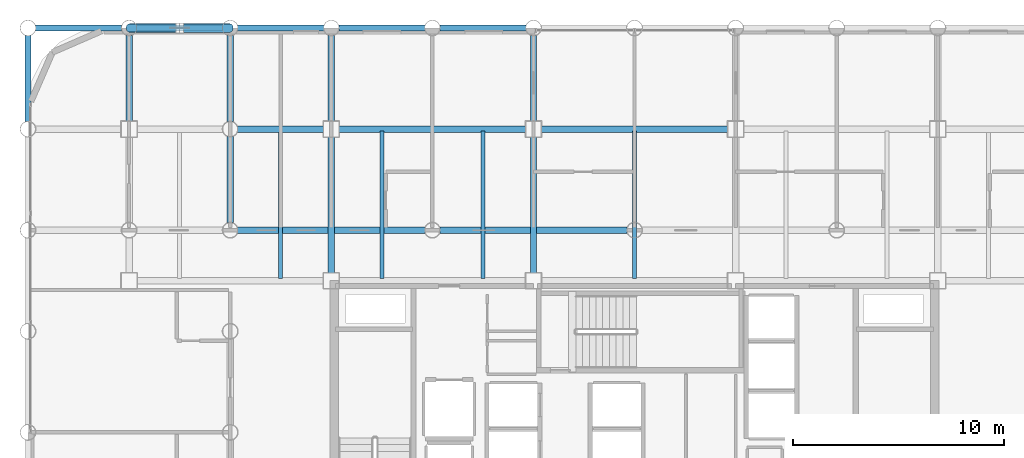
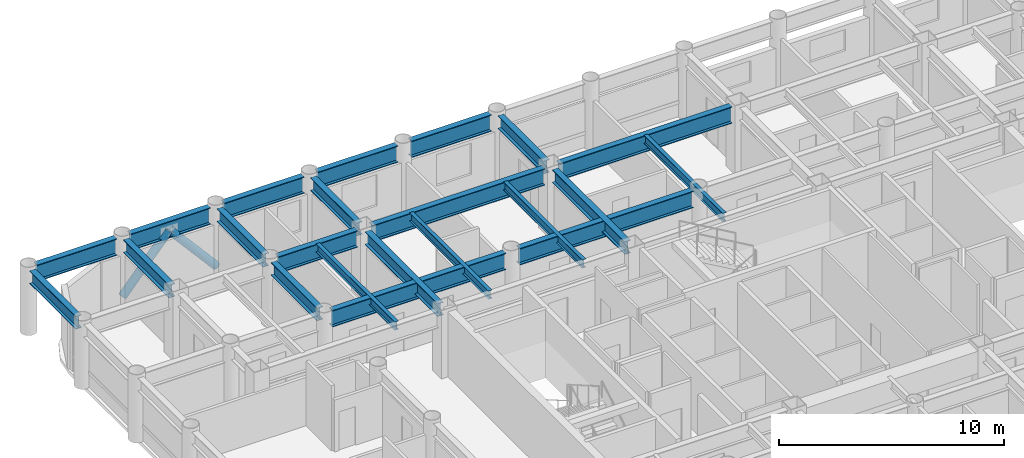
# One storey, part 10 of 20: 22 beams, 2 members.
"""IFC4 building model written with IfcOpenShell, lengths in metres."""

import ifcopenshell
import ifcopenshell.guid

model = None  # the IFC model being written
_history = None  # IfcOwnerHistory: only IFC2X3 demands one
_inside = {}  # id of a spatial element -> (the spatial element, [elements in it])
_under = {}  # id of a project, library or spatial element -> (it, [spatial elements below it])
_declared = {}  # id of a project -> (the project, [libraries it declares])
_typed = {}  # id of a type object -> (the type object, [elements of that type])
_made_of = {}  # id of a material, layer set ... -> (it, [elements and type objects made of it])


def new_model(schema):
    """Start an empty IFC model of exactly this schema.

    Asked for "IFC4X3", IfcOpenShell would pick the latest addendum, in which some entities
    have other attributes; the version numbers below select the first issue.
    IFC2X3 requires an IfcOwnerHistory on every rooted entity: one is made here for all.
    """
    global model, _history
    if schema == "IFC4X3":
        model = ifcopenshell.file(schema_version=(4, 3, 0, 0))
    else:
        model = ifcopenshell.file(schema=schema)
    _inside.clear()
    _under.clear()
    _declared.clear()
    _typed.clear()
    _made_of.clear()
    _history = None
    if model.schema == "IFC2X3":
        org = make("IfcOrganization", Name="unknown")
        user = make(
            "IfcPersonAndOrganization",
            ThePerson=make("IfcPerson", FamilyName="unknown"),
            TheOrganization=org,
        )
        app = make(
            "IfcApplication",
            ApplicationDeveloper=org,
            Version="unknown",
            ApplicationFullName="unknown",
            ApplicationIdentifier="unknown",
        )
        _history = make(
            "IfcOwnerHistory",
            OwningUser=user,
            OwningApplication=app,
            ChangeAction="ADDED",
            CreationDate=0,
        )
    return model


def make(cls, **values):
    """One entity of the class cls with the attributes given. An attribute that is None is left unset."""
    return model.create_entity(
        cls, **{name: value for name, value in values.items() if value is not None}
    )


def rooted(cls, **values):
    """An entity with a GlobalId (a new one), such as an element, a storey or a relation."""
    return make(cls, GlobalId=ifcopenshell.guid.new(), OwnerHistory=_history, **values)


def si_unit(unit_type, name, prefix=None):
    """IfcSIUnit, for example si_unit("LENGTHUNIT", "METRE", prefix="MILLI")."""
    return make("IfcSIUnit", UnitType=unit_type, Prefix=prefix, Name=name)


def assignment(units):
    """IfcUnitAssignment: the units of a project."""
    return None if units is None else make("IfcUnitAssignment", Units=units)


def point(xyz):
    """IfcCartesianPoint."""
    return None if xyz is None else make("IfcCartesianPoint", Coordinates=xyz)


def direction(xyz):
    """IfcDirection."""
    return None if xyz is None else make("IfcDirection", DirectionRatios=xyz)


def frame(location, z_axis=None, x_axis=None):
    """IfcAxis2Placement3D, a coordinate frame: its origin and axes. An axis left out is left unset."""
    return make(
        "IfcAxis2Placement3D",
        Location=point(location),
        Axis=direction(z_axis),
        RefDirection=direction(x_axis),
    )


def frame_2d(location, x_axis=None):
    """IfcAxis2Placement2D, a coordinate frame in the plane: its origin and x axis."""
    return make(
        "IfcAxis2Placement2D", Location=point(location), RefDirection=direction(x_axis)
    )


def origin():
    """The frame at (0, 0, 0) with its axes left unset."""
    return frame((0.0, 0.0, 0.0))


def origin_2d():
    """The frame at (0, 0) in the plane with its x axis left unset."""
    return frame_2d((0.0, 0.0))


def place(relative_to, where):
    """IfcLocalPlacement: puts the frame where relative to a parent placement (None: the world)."""
    return make(
        "IfcLocalPlacement", PlacementRelTo=relative_to, RelativePlacement=where
    )


def context(
    kind, dimensions, precision=None, world=None, true_north=None, identifier=None
):
    """IfcGeometricRepresentationContext, for example the 3D "Model" context."""
    return make(
        "IfcGeometricRepresentationContext",
        ContextIdentifier=identifier,
        ContextType=kind,
        CoordinateSpaceDimension=dimensions,
        Precision=precision,
        WorldCoordinateSystem=world,
        TrueNorth=true_north,
    )


def subcontext(parent, identifier, kind, view, scale=None):
    """IfcGeometricRepresentationSubContext, for example "Body" below "Model"."""
    return make(
        "IfcGeometricRepresentationSubContext",
        ContextIdentifier=identifier,
        ContextType=kind,
        ParentContext=parent,
        TargetScale=scale,
        TargetView=view,
    )


def project(units=None, contexts=None):
    """IfcProject with its units and contexts."""
    return rooted(
        "IfcProject",
        Name="project",
        RepresentationContexts=contexts,
        UnitsInContext=assignment(units),
    )


def spatial(cls, under=None, at=None, **own):
    """A site, building, storey or space (cls), placed at a placement, below another one or the project."""
    s = rooted(cls, ObjectPlacement=at, **own)
    if under is not None:
        _under.setdefault(under.id(), (under, []))[1].append(s)
    return s


def profile(cls, at=None, kind="AREA", **sizes):
    """A parametric profile (cls). Its sizes go by their IFC names, for example OverallWidth=200.0."""
    return make(cls, ProfileType=kind, Position=at, **sizes)


def hollow_circle(**sizes):
    """IfcCircleHollowProfileDef."""
    return profile("IfcCircleHollowProfileDef", **sizes)


def i_section(**sizes):
    """IfcIShapeProfileDef."""
    return profile("IfcIShapeProfileDef", **sizes)


def extrude(swept, where, along, depth):
    """IfcExtrudedAreaSolid: the profile swept, set in the frame where, extruded along a direction by depth."""
    return make(
        "IfcExtrudedAreaSolid",
        SweptArea=swept,
        Position=where,
        ExtrudedDirection=direction(along),
        Depth=depth,
    )


def shape(context_of_items, identifier, shape_type, items):
    """IfcShapeRepresentation: the items that make up one representation, for example the "Body"."""
    return make(
        "IfcShapeRepresentation",
        ContextOfItems=context_of_items,
        RepresentationIdentifier=identifier,
        RepresentationType=shape_type,
        Items=items,
    )


def material(Name=None, Category=None):
    """IfcMaterial."""
    return make("IfcMaterial", Name=Name, Category=Category)


def material_profile(
    of_material, cross_section, Name=None, Category=None, Priority=None
):
    """IfcMaterialProfile: a cross section and its material."""
    return make(
        "IfcMaterialProfile",
        Name=Name,
        Material=of_material,
        Profile=cross_section,
        Priority=Priority,
        Category=Category,
    )


def profile_set(profiles, Name=None, composite=None):
    """IfcMaterialProfileSet."""
    return make(
        "IfcMaterialProfileSet",
        Name=Name,
        MaterialProfiles=profiles,
        CompositeProfile=composite,
    )


def made_of(thing, what):
    """Note that an element or type object is made of a material, layer set ...; save() writes the relation."""
    if what is not None:
        _made_of.setdefault(what.id(), (what, []))[1].append(thing)
    return thing


def type_object(cls, material=None, **own):
    """A type object (cls), such as IfcWallType, which elements share."""
    return made_of(rooted(cls, **own), material)


def element(
    cls,
    number,
    at=None,
    inside=None,
    cuts=None,
    type_object=None,
    material=None,
    context=None,
    identifier="Body",
    shape_type=None,
    held_by="IfcProductDefinitionShape",
    body=None,
    shapes=None,
    **own,
):
    """One element of the class cls, such as IfcWall. Its Tag is "e" and its number.

    at: its placement. inside: the storey or other place that contains it. cuts: it is an
    opening in that element (IfcRelVoidsElement). A single representation is given by context,
    identifier, shape_type and body (its items); several are given by shapes. held_by: the class
    of the entity that holds the representations. save() writes the other relations.
    """
    e = rooted(cls, Tag="e%d" % number, ObjectPlacement=at, **own)
    if body is not None:
        shapes = [shape(context, identifier, shape_type, body)]
    if shapes is not None:
        e.Representation = make(held_by, Representations=shapes)
    if inside is not None:
        _inside.setdefault(inside.id(), (inside, []))[1].append(e)
    if cuts is not None:
        rooted(
            "IfcRelVoidsElement", RelatingBuildingElement=cuts, RelatedOpeningElement=e
        )
    if type_object is not None:
        _typed.setdefault(type_object.id(), (type_object, []))[1].append(e)
    return made_of(e, material)


def aggregate(whole, parts):
    """IfcRelAggregates: a whole, such as a stair, and the parts it consists of."""
    return rooted("IfcRelAggregates", RelatingObject=whole, RelatedObjects=parts)


def save(model, path):
    """Write the relations noted so far, then the file.

    IfcRelAggregates (storeys below a building ...), IfcRelContainedInSpatialStructure (elements
    in a storey), IfcRelDefinesByType, IfcRelAssociatesMaterial and IfcRelDeclares: one each for
    every whole, place, type object, material and project.
    """
    for whole, parts in _under.values():
        aggregate(whole, parts)
    for where, things in _inside.values():
        rooted(
            "IfcRelContainedInSpatialStructure",
            RelatedElements=things,
            RelatingStructure=where,
        )
    for kind, things in _typed.values():
        rooted("IfcRelDefinesByType", RelatedObjects=things, RelatingType=kind)
    for what, things in _made_of.values():
        rooted("IfcRelAssociatesMaterial", RelatedObjects=things, RelatingMaterial=what)
    for by, libraries in _declared.values():
        rooted("IfcRelDeclares", RelatingContext=by, RelatedDefinitions=libraries)
    model.write(path)


model = new_model("IFC4")

# Units and contexts
model_context = context("Model", 3, precision=1e-05, world=origin(), true_north=direction((0.0, 1.0)))
body_context = subcontext(model_context, "Body", "Model", "MODEL_VIEW")
ifc_project = project(units=[si_unit("LENGTHUNIT", "METRE"), si_unit("AREAUNIT", "SQUARE_METRE"), si_unit("VOLUMEUNIT", "CUBIC_METRE"), si_unit("PLANEANGLEUNIT", "RADIAN"), si_unit("MASSUNIT", "GRAM", prefix="KILO")], contexts=[model_context])

# Site, building, storey
site_placement = place(None, origin())
site = spatial("IfcSite", under=ifc_project, at=site_placement, CompositionType="ELEMENT")
building_placement = place(site_placement, origin())
building = spatial("IfcBuilding", under=site, at=building_placement, Name="Kallvorn Hotel Tower", CompositionType="ELEMENT")
storey_placement = place(building_placement, frame((0.0, 0.0, 78.10009765625)))
storey = spatial("IfcBuildingStorey", under=building, at=storey_placement, Name="L18", CompositionType="ELEMENT", Elevation=78.10009765625)

# Beams
ifc_material_1 = material(Name="Structural steel S355JR", Category="steel")
ifc_material_profile_1 = material_profile(ifc_material_1, i_section(OverallWidth=0.300048828125, OverallDepth=0.699951171875, WebThickness=0.01708984375, FlangeThickness=0.031982421875, at=origin_2d()), Name="HE 700 B")
ifc_profile_set_1 = profile_set([ifc_material_profile_1], Name="Structural steel S355JR")
beam_type_1 = type_object("IfcBeamType", Name="BM_HE700B", PredefinedType="BEAM", material=ifc_profile_set_1)
beam_1_placement = place(storey_placement, frame((-28.800048828125, 14.756103515625, 3.169921875), z_axis=(0.0, 1.0, 0.0), x_axis=(-1.0, 0.0, 0.0)))
element("IfcBeam", 1, at=beam_1_placement, inside=storey, type_object=beam_type_1, Name="L19 Primary Y-Girder 80", PredefinedType="BEAM", context=body_context, shape_type="SweptSolid", body=[
    extrude(i_section(OverallWidth=0.300048828125, OverallDepth=0.699951171875, WebThickness=0.01708984375, FlangeThickness=0.031982421875, at=origin_2d()), origin(), (0.0, 0.0, 1.0), 4.087890625),
])
beam_2_placement = place(storey_placement, frame((-24.0, 14.77490234375, 3.169921875), z_axis=(0.0, 1.0, 0.0), x_axis=(-1.0, 0.0, 0.0)))
element("IfcBeam", 2, at=beam_2_placement, inside=storey, type_object=beam_type_1, Name="L19 Primary Y-Girder 87", PredefinedType="BEAM", context=body_context, shape_type="SweptSolid", body=[
    extrude(i_section(OverallWidth=0.300048828125, OverallDepth=0.699951171875, WebThickness=0.01708984375, FlangeThickness=0.031982421875, at=origin_2d()), origin(), (0.0, 0.0, 1.0), 4.069091796875),
])
for number, where, z_axis, x_axis, name in (
    (3, (-19.199951171875, 9.9560546875, 3.169921875), (0.0, 1.0, 0.0), (-1.0, 0.0, 0.0), "L19 Primary Y-Girder 95"),
    (4, (-19.199951171875, 14.756103515625, 3.169921875), (0.0, 1.0, 0.0), (-1.0, 0.0, 0.0), "L19 Primary Y-Girder 96"),
):
    element("IfcBeam", number, at=place(storey_placement, frame(where, z_axis=z_axis, x_axis=x_axis)), inside=storey, type_object=beam_type_1, Name=name, PredefinedType="BEAM", context=body_context, shape_type="SweptSolid", body=[
        extrude(i_section(OverallWidth=0.300048828125, OverallDepth=0.699951171875, WebThickness=0.01708984375, FlangeThickness=0.031982421875, at=origin_2d()), origin(), (0.0, 0.0, 1.0), 4.087890625),
    ])
beam_3_placement = place(storey_placement, frame((-14.39990234375, 7.574951171875, 3.169921875), z_axis=(0.0, 1.0, 0.0), x_axis=(-1.0, 0.0, 0.0)))
element("IfcBeam", 5, at=beam_3_placement, inside=storey, type_object=beam_type_1, Name="L19 Primary Y-Girder 100", PredefinedType="BEAM", context=body_context, shape_type="SweptSolid", body=[
    extrude(i_section(OverallWidth=0.300048828125, OverallDepth=0.699951171875, WebThickness=0.01708984375, FlangeThickness=0.031982421875, at=origin_2d()), origin(), (0.0, 0.0, 1.0), 6.449951171875),
])
beam_4_placement = place(storey_placement, frame((-14.39990234375, 14.77490234375, 3.169921875), z_axis=(0.0, 1.0, 0.0), x_axis=(-1.0, 0.0, 0.0)))
element("IfcBeam", 6, at=beam_4_placement, inside=storey, type_object=beam_type_1, Name="L19 Primary Y-Girder 101", PredefinedType="BEAM", context=body_context, shape_type="SweptSolid", body=[
    extrude(i_section(OverallWidth=0.300048828125, OverallDepth=0.699951171875, WebThickness=0.01708984375, FlangeThickness=0.031982421875, at=origin_2d()), origin(), (0.0, 0.0, 1.0), 4.069091796875),
])
beam_5_placement = place(storey_placement, frame((-4.800048828125, 7.574951171875, 3.169921875), z_axis=(0.0, 1.0, 0.0), x_axis=(-1.0, 0.0, 0.0)))
element("IfcBeam", 7, at=beam_5_placement, inside=storey, type_object=beam_type_1, Name="L19 Primary Y-Girder 108", PredefinedType="BEAM", context=body_context, shape_type="SweptSolid", body=[
    extrude(i_section(OverallWidth=0.300048828125, OverallDepth=0.699951171875, WebThickness=0.01708984375, FlangeThickness=0.031982421875, at=origin_2d()), origin(), (0.0, 0.0, 1.0), 6.449951171875),
])
beam_6_placement = place(storey_placement, frame((-4.800048828125, 14.77490234375, 3.169921875), z_axis=(0.0, 1.0, 0.0), x_axis=(-1.0, 0.0, 0.0)))
element("IfcBeam", 8, at=beam_6_placement, inside=storey, type_object=beam_type_1, Name="L19 Primary Y-Girder 109", PredefinedType="BEAM", context=body_context, shape_type="SweptSolid", body=[
    extrude(i_section(OverallWidth=0.300048828125, OverallDepth=0.699951171875, WebThickness=0.01708984375, FlangeThickness=0.031982421875, at=origin_2d()), origin(), (0.0, 0.0, 1.0), 4.069091796875),
])
ifc_material_2 = material(Name="Structural steel S355JR", Category="steel")
ifc_material_profile_2 = material_profile(ifc_material_2, i_section(OverallWidth=0.300048828125, OverallDepth=0.89990234375, WebThickness=0.0185546875, FlangeThickness=0.034912109375, at=origin_2d()), Name="HE 900 B")
ifc_profile_set_2 = profile_set([ifc_material_profile_2], Name="Structural steel S355JR")
beam_type_2 = type_object("IfcBeamType", Name="BM_HE900B", PredefinedType="BEAM", material=ifc_profile_set_2)
for number, where, z_axis, x_axis, name in (
    (9, (-18.843994140625, 9.60009765625, 3.06982421875), (1.0, 0.0, 0.0), (0.0, 1.0, 0.0), "L19 Primary X-Girder 44"),
    (10, (-9.243896484375, 9.60009765625, 3.06982421875), (1.0, 0.0, 0.0), (0.0, 1.0, 0.0), "L19 Primary X-Girder 45"),
):
    element("IfcBeam", number, at=place(storey_placement, frame(where, z_axis=z_axis, x_axis=x_axis)), inside=storey, type_object=beam_type_2, Name=name, PredefinedType="BEAM", context=body_context, shape_type="SweptSolid", body=[
        extrude(i_section(OverallWidth=0.300048828125, OverallDepth=0.89990234375, WebThickness=0.0185546875, FlangeThickness=0.034912109375, at=origin_2d()), origin(), (0.0, 0.0, 1.0), 8.887939453125),
    ])
beam_7_placement = place(storey_placement, frame((-18.843994140625, 14.39990234375, 3.06982421875), z_axis=(1.0, 0.0, 0.0), x_axis=(0.0, 1.0, 0.0)))
element("IfcBeam", 11, at=beam_7_placement, inside=storey, type_object=beam_type_2, Name="L19 Primary X-Girder 53", PredefinedType="BEAM", context=body_context, shape_type="SweptSolid", body=[
    extrude(i_section(OverallWidth=0.300048828125, OverallDepth=0.89990234375, WebThickness=0.0185546875, FlangeThickness=0.034912109375, at=origin_2d()), origin(), (0.0, 0.0, 1.0), 4.069091796875),
])
beam_8_placement = place(storey_placement, frame((-14.02490234375, 14.39990234375, 3.06982421875), z_axis=(1.0, 0.0, 0.0), x_axis=(0.0, 1.0, 0.0)))
element("IfcBeam", 12, at=beam_8_placement, inside=storey, type_object=beam_type_2, Name="L19 Primary X-Girder 54", PredefinedType="BEAM", context=body_context, shape_type="SweptSolid", body=[
    extrude(i_section(OverallWidth=0.300048828125, OverallDepth=0.89990234375, WebThickness=0.0185546875, FlangeThickness=0.034912109375, at=origin_2d()), origin(), (0.0, 0.0, 1.0), 8.849853515625),
])
beam_9_placement = place(storey_placement, frame((-4.425048828125, 14.39990234375, 3.06982421875), z_axis=(1.0, 0.0, 0.0), x_axis=(0.0, 1.0, 0.0)))
element("IfcBeam", 13, at=beam_9_placement, inside=storey, type_object=beam_type_2, Name="L19 Primary X-Girder 55", PredefinedType="BEAM", context=body_context, shape_type="SweptSolid", body=[
    extrude(i_section(OverallWidth=0.300048828125, OverallDepth=0.89990234375, WebThickness=0.0185546875, FlangeThickness=0.034912109375, at=origin_2d()), origin(), (0.0, 0.0, 1.0), 8.85009765625),
])
for number, where, z_axis, x_axis, name in (
    (14, (-28.444091796875, 19.199951171875, 3.06982421875), (1.0, 0.0, 0.0), (0.0, 1.0, 0.0), "L19 Primary X-Girder 61"),
    (15, (-23.64404296875, 19.199951171875, 3.06982421875), (1.0, 0.0, 0.0), (0.0, 1.0, 0.0), "L19 Primary X-Girder 62"),
):
    element("IfcBeam", number, at=place(storey_placement, frame(where, z_axis=z_axis, x_axis=x_axis)), inside=storey, type_object=beam_type_2, Name=name, PredefinedType="BEAM", context=body_context, shape_type="SweptSolid", body=[
        extrude(i_section(OverallWidth=0.300048828125, OverallDepth=0.89990234375, WebThickness=0.0185546875, FlangeThickness=0.034912109375, at=origin_2d()), origin(), (0.0, 0.0, 1.0), 4.088134765625),
    ])
for number, where, z_axis, x_axis, name in (
    (16, (-18.843994140625, 19.199951171875, 3.06982421875), (1.0, 0.0, 0.0), (0.0, 1.0, 0.0), "L19 Primary X-Girder 63"),
    (17, (-14.0439453125, 19.199951171875, 3.06982421875), (1.0, 0.0, 0.0), (0.0, 1.0, 0.0), "L19 Primary X-Girder 64"),
    (18, (-9.243896484375, 19.199951171875, 3.06982421875), (1.0, 0.0, 0.0), (0.0, 1.0, 0.0), "L19 Primary X-Girder 65"),
):
    element("IfcBeam", number, at=place(storey_placement, frame(where, z_axis=z_axis, x_axis=x_axis)), inside=storey, type_object=beam_type_2, Name=name, PredefinedType="BEAM", context=body_context, shape_type="SweptSolid", body=[
        extrude(i_section(OverallWidth=0.300048828125, OverallDepth=0.89990234375, WebThickness=0.0185546875, FlangeThickness=0.034912109375, at=origin_2d()), origin(), (0.0, 0.0, 1.0), 4.087890625),
    ])
ifc_material_3 = material(Name="Structural steel S355JR", Category="steel")
ifc_material_profile_3 = material_profile(ifc_material_3, i_section(OverallWidth=0.18994140625, OverallDepth=0.449951171875, WebThickness=0.009521484375, FlangeThickness=0.0146484375, at=origin_2d()), Name="IPE 450")
ifc_profile_set_3 = profile_set([ifc_material_profile_3], Name="Structural steel S355JR")
beam_type_3 = type_object("IfcBeamType", Name="BM_IPE450", PredefinedType="JOIST", material=ifc_profile_set_3)
for number, where, z_axis, x_axis, name in (
    (19, (-16.800048828125, 7.300048828125, 3.294921875), (0.0, 1.0, 0.0), (-1.0, 0.0, 0.0), "L19 Secondary Composite Joist 195"),
    (20, (-12.0, 7.300048828125, 3.294921875), (0.0, 1.0, 0.0), (-1.0, 0.0, 0.0), "L19 Secondary Composite Joist 197"),
    (21, (-7.199951171875, 7.300048828125, 3.294921875), (0.0, 1.0, 0.0), (-1.0, 0.0, 0.0), "L19 Secondary Composite Joist 199"),
    (22, (0.0, 7.300048828125, 3.294921875), (0.0, 1.0, 0.0), (-1.0, 0.0, 0.0), "L19 Secondary Composite Joist 201"),
):
    element("IfcBeam", number, at=place(storey_placement, frame(where, z_axis=z_axis, x_axis=x_axis)), inside=storey, type_object=beam_type_3, Name=name, PredefinedType="JOIST", context=body_context, shape_type="SweptSolid", body=[
        extrude(i_section(OverallWidth=0.18994140625, OverallDepth=0.449951171875, WebThickness=0.009521484375, FlangeThickness=0.0146484375, at=origin_2d()), origin(), (0.0, 0.0, 1.0), 7.0),
    ])

# Members
ifc_material_4 = material(Name="Structural steel S355J2H", Category="steel")
ifc_material_profile_4 = material_profile(ifc_material_4, hollow_circle(Radius=0.203125, WallThickness=0.01611328125, at=origin_2d()), Name="CHS 406.4x16")
ifc_profile_set_4 = profile_set([ifc_material_profile_4], Name="Structural steel S355J2H")
member_type = type_object("IfcMemberType", Name="MBR_EXO_CHS406", PredefinedType="BRACE", material=ifc_profile_set_4)
for number, where, z_axis, x_axis, name in (
    (23, (-23.98681640625, 19.199951171875, 0.195068359375), (0.65346062529, 0.0, 0.756960508346), (0.0, 1.0, 0.0), "L18 Exoskeleton K-Brace N1A"),
    (24, (-19.213134765625, 19.199951171875, 0.195068359375), (-0.65346062529, 0.0, 0.756960508346), (0.0, -1.0, 0.0), "L18 Exoskeleton K-Brace N1B"),
):
    element("IfcMember", number, at=place(storey_placement, frame(where, z_axis=z_axis, x_axis=x_axis)), inside=storey, type_object=member_type, Name=name, PredefinedType="BRACE", context=body_context, shape_type="SweptSolid", body=[
        extrude(hollow_circle(Radius=0.203125, WallThickness=0.01611328125, at=origin_2d()), origin(), (0.0, 0.0, 1.0), 3.632568359375),
    ])

save(model, "model.ifc")
